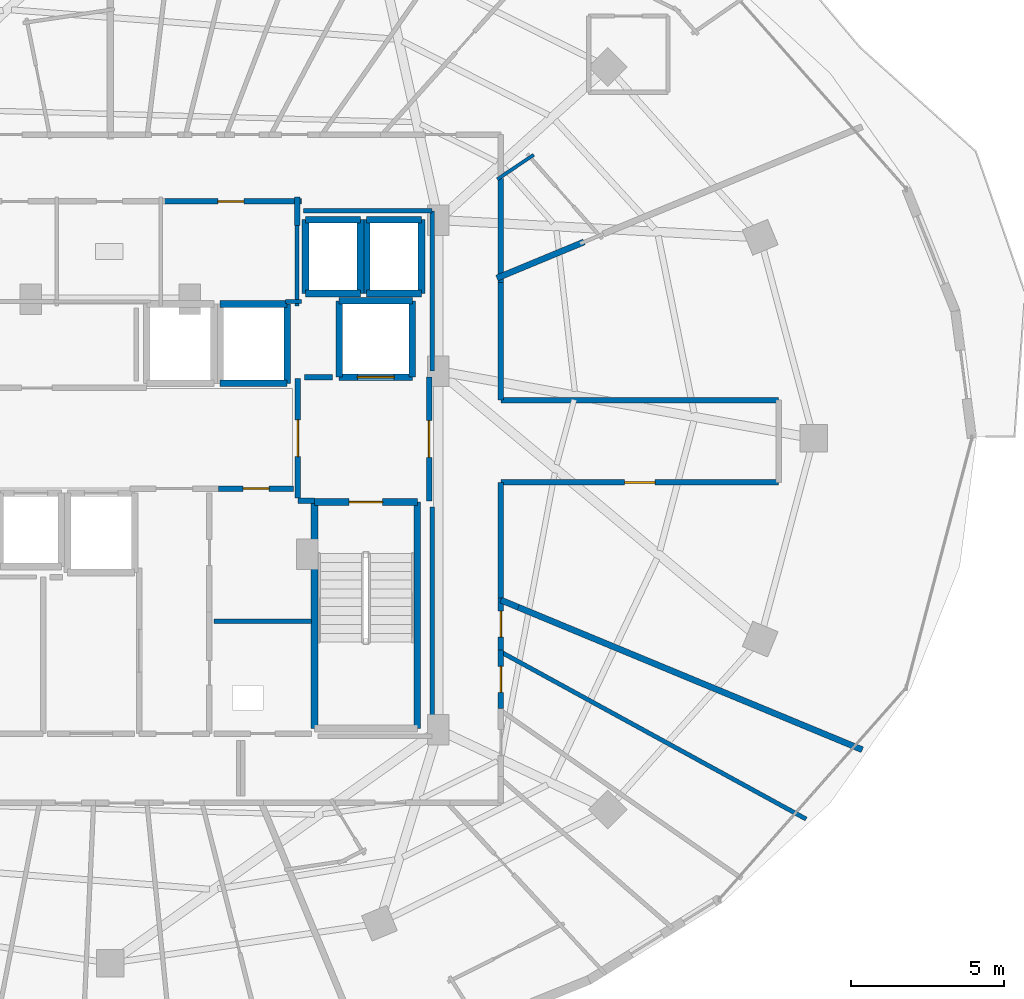
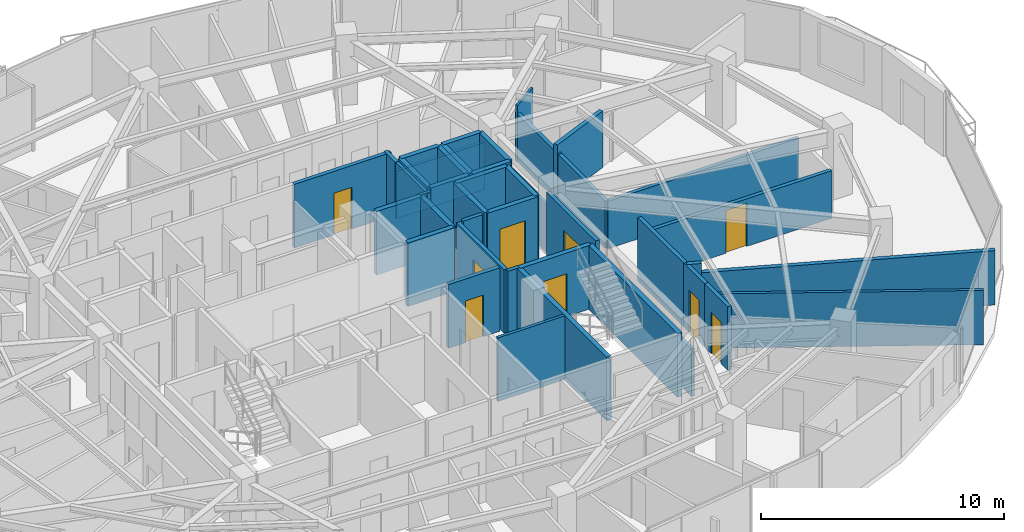
# One storey, part 28 of 33: 43 walls, 9 doors, 9 openings.
"""IFC4 building model written with IfcOpenShell, lengths in metres."""

from ifc_helpers import new_model, si_unit, direction, frame, frame_2d, origin, place, context, subcontext, project, spatial, rectangle, extrude, material, layer, layer_set, type_object, element, fill, save


model = new_model("IFC4")

# Units and contexts
model_context = context("Model", 3, precision=1e-05, world=origin(), true_north=direction((0.0, 1.0)))
body_context = subcontext(model_context, "Body", "Model", "MODEL_VIEW")
ifc_project = project(units=[si_unit("LENGTHUNIT", "METRE"), si_unit("AREAUNIT", "SQUARE_METRE"), si_unit("VOLUMEUNIT", "CUBIC_METRE"), si_unit("PLANEANGLEUNIT", "RADIAN"), si_unit("MASSUNIT", "GRAM", prefix="KILO")], contexts=[model_context])

# Site, building, storey
site_placement = place(None, origin())
site = spatial("IfcSite", under=ifc_project, at=site_placement, CompositionType="ELEMENT")
building_placement = place(site_placement, origin())
building = spatial("IfcBuilding", under=site, at=building_placement, Name="Vorneva Point Tower", CompositionType="ELEMENT")
storey_placement = place(building_placement, frame((0.0, 0.0, 221.39990234375)))
storey = spatial("IfcBuildingStorey", under=building, at=storey_placement, Name="L60", CompositionType="ELEMENT", Elevation=221.39990234375)

# Wall, opening, door
ifc_material_1 = material(Name="Concrete B60 (C50/60)", Category="concrete")
ifc_layer_1 = layer(ifc_material_1, 0.35009765625)
ifc_layer_set_1 = layer_set([ifc_layer_1], Name="Concrete B60 (C50/60)")
wall_type_1 = type_object("IfcWallType", Name="WL-CORE-350", PredefinedType="SHEAR", material=ifc_layer_set_1)
wall_1_placement = place(storey_placement, frame((45.5, 28.0, 0.0), z_axis=(0.0, 0.0, 1.0), x_axis=(1.0, 0.0, 0.0)))
wall_1 = element("IfcWall", 1, at=wall_1_placement, inside=storey, type_object=wall_type_1, Name="L60 Lift FFL2 Shaft Wall -Y", PredefinedType="SHEAR", context=body_context, shape_type="SweptSolid", body=[
    extrude(rectangle(XDim=2.39990234375, YDim=0.219970703125, at=frame_2d((1.199951171875, 0.0))), origin(), (0.0, 0.0, 1.0), 3.2001953125),
])
opening_1_placement = place(wall_1_placement, frame((0.60009765625, 0.0, 0.0)))
opening_1 = element("IfcOpeningElement", 2, at=opening_1_placement, cuts=wall_1, Name="Opening LD-02", PredefinedType="OPENING", context=body_context, shape_type="SweptSolid", body=[
    extrude(rectangle(XDim=1.199951171875, YDim=2.199951171875, at=frame_2d((0.60009765625, 1.10009765625))), frame((0.0, 0.125, 0.0), z_axis=(0.0, -1.0, 0.0), x_axis=(1.0, 0.0, 0.0)), (0.0, 0.0, 1.0), 0.249755859375),
])
ifc_material_2 = material(Name="Brushed stainless steel S304", Category="steel")
door_type_1 = type_object("IfcDoorType", Name="LD-FIRE-1200", OperationType="SLIDING_TO_LEFT", PredefinedType="DOOR", material=ifc_material_2)
door_1_placement = place(opening_1_placement, origin())
door_1 = element("IfcDoor", 3, at=door_1_placement, inside=storey, type_object=door_type_1, Name="L60 Lift FFL2 Sliding Landing Door", OperationType="SLIDING_TO_LEFT", OverallHeight=2.199951171875, OverallWidth=1.199951171875, PredefinedType="DOOR", context=body_context, shape_type="SweptSolid", body=[
    extrude(rectangle(XDim=1.199951171875, YDim=2.199951171875, at=frame_2d((0.60009765625, 1.10009765625))), frame((0.0, 0.02490234375, 0.0), z_axis=(0.0, -1.0, 0.0), x_axis=(1.0, 0.0, 0.0)), (0.0, 0.0, 1.0), 0.050048828125),
])
fill(opening_1, door_1)

# Walls
wall_2_placement = place(storey_placement, frame((47.89990234375, 28.0, 0.0), z_axis=(0.0, 0.0, 1.0), x_axis=(0.0, 1.0, 0.0)))
element("IfcWall", 4, at=wall_2_placement, inside=storey, type_object=wall_type_1, Name="L60 Lift FFL2 Shaft Wall +X", PredefinedType="SHEAR", context=body_context, shape_type="SweptSolid", body=[
    extrude(rectangle(XDim=2.5, YDim=0.219970703125, at=frame_2d((1.25, 0.0))), origin(), (0.0, 0.0, 1.0), 3.2001953125),
])
wall_3_placement = place(storey_placement, frame((47.89990234375, 30.5, 0.0), z_axis=(0.0, 0.0, 1.0), x_axis=(-1.0, 0.0, 0.0)))
element("IfcWall", 5, at=wall_3_placement, inside=storey, type_object=wall_type_1, Name="L60 Lift FFL2 Shaft Wall +Y", PredefinedType="SHEAR", context=body_context, shape_type="SweptSolid", body=[
    extrude(rectangle(XDim=2.39990234375, YDim=0.219970703125, at=frame_2d((1.199951171875, 0.0))), origin(), (0.0, 0.0, 1.0), 3.2001953125),
])
wall_4_placement = place(storey_placement, frame((45.5, 30.5, 0.0), z_axis=(0.0, 0.0, 1.0), x_axis=(0.0, -1.0, 0.0)))
element("IfcWall", 6, at=wall_4_placement, inside=storey, type_object=wall_type_1, Name="L60 Lift FFL2 Shaft Wall -X", PredefinedType="SHEAR", context=body_context, shape_type="SweptSolid", body=[
    extrude(rectangle(XDim=2.5, YDim=0.219970703125, at=frame_2d((1.25, 0.0))), origin(), (0.0, 0.0, 1.0), 3.2001953125),
])
ifc_material_3 = material(Name="Fire-rated acoustic gypsum stud partition", Category="gypsum")
ifc_layer_2 = layer(ifc_material_3, 0.110107421875)
ifc_layer_set_2 = layer_set([ifc_layer_2], Name="Fire-rated acoustic gypsum stud partition")
wall_type_2 = type_object("IfcWallType", Name="WL-PART-110", PredefinedType="PARTITIONING", material=ifc_layer_set_2)
wall_5_placement = place(storey_placement, frame((50.68359375, 34.486083984375, 0.0), z_axis=(0.0, 0.0, 1.0), x_axis=(0.830948636418, 0.556349138253, 0.0)))
element("IfcWall", 7, at=wall_5_placement, inside=storey, type_object=wall_type_2, Name="L60 Interior Partition 080", PredefinedType="PARTITIONING", context=body_context, shape_type="SweptSolid", body=[
    extrude(rectangle(XDim=1.43408203125, YDim=0.110107421875, at=frame_2d((0.717041015625, 0.0))), origin(), (0.0, 0.0, 1.0), 2.833984375),
])
ifc_layer_3 = layer(ifc_material_3, 0.139892578125)
ifc_layer_set_3 = layer_set([ifc_layer_3], Name="Fire-rated acoustic gypsum stud partition")
wall_type_3 = type_object("IfcWallType", Name="WL-PART-140", PredefinedType="PARTITIONING", material=ifc_layer_set_3)
wall_6_placement = place(storey_placement, frame((44.60009765625, 20.0, 0.0), z_axis=(0.0, 0.0, 1.0), x_axis=(-1.0, 0.0, 0.0)))
element("IfcWall", 8, at=wall_6_placement, inside=storey, type_object=wall_type_3, Name="L60 Interior Partition 017", PredefinedType="PARTITIONING", context=body_context, shape_type="SweptSolid", body=[
    extrude(rectangle(XDim=3.2001953125, YDim=0.139892578125, at=frame_2d((1.60009765625, 0.0))), origin(), (0.0, 0.0, 1.0), 3.2001953125),
])
wall_7_placement = place(storey_placement, frame((60.800048828125, 13.52392578125, 0.0), z_axis=(0.0, 0.0, 1.0), x_axis=(-0.877244884683, 0.480043135871, 0.0)))
element("IfcWall", 9, at=wall_7_placement, inside=storey, type_object=wall_type_3, Name="L60 Interior Partition 157", PredefinedType="PARTITIONING", context=body_context, shape_type="SweptSolid", body=[
    extrude(rectangle(XDim=11.3994140625, YDim=0.139892578125, at=frame_2d((5.69970703125, 0.0))), origin(), (0.0, 0.0, 1.0), 2.734130859375),
])
wall_8_placement = place(storey_placement, frame((43.735107421875, 30.47998046875, 0.0), z_axis=(0.0, 0.0, 1.0), x_axis=(1.0, 0.0, 0.0)))
element("IfcWall", 10, at=wall_8_placement, inside=storey, type_object=wall_type_3, Name="L60 Interior Closure Partition 163", PredefinedType="PARTITIONING", context=body_context, shape_type="SweptSolid", body=[
    extrude(rectangle(XDim=0.52490234375, YDim=0.139892578125, at=frame_2d((0.262451171875, 0.0))), origin(), (0.0, 0.0, 1.0), 3.2001953125),
])
wall_9_placement = place(storey_placement, frame((44.1201171875, 30.340087890625, 0.0), z_axis=(0.0, 0.0, 1.0), x_axis=(0.0, 1.0, 0.0)))
element("IfcWall", 11, at=wall_9_placement, inside=storey, type_object=wall_type_3, Name="L60 Interior Closure Partition 164", PredefinedType="PARTITIONING", context=body_context, shape_type="SweptSolid", body=[
    extrude(rectangle(XDim=2.659912109375, YDim=0.139892578125, at=frame_2d((1.330078125, 0.0))), origin(), (0.0, 0.0, 1.0), 3.2001953125),
])
wall_10_placement = place(storey_placement, frame((48.550048828125, 16.239990234375, 0.0), z_axis=(0.0, 0.0, 1.0), x_axis=(0.0, 1.0, 0.0)))
element("IfcWall", 12, at=wall_10_placement, inside=storey, type_object=wall_type_3, Name="L60 Interior Closure Partition 169", PredefinedType="PARTITIONING", context=body_context, shape_type="SweptSolid", body=[
    extrude(rectangle(XDim=7.513916015625, YDim=0.139892578125, at=frame_2d((3.7568359375, 0.0))), origin(), (0.0, 0.0, 1.0), 2.39208984375),
])
wall_11_placement = place(storey_placement, frame((48.550048828125, 28.196044921875, 0.0), z_axis=(0.0, 0.0, 1.0), x_axis=(0.0, 1.0, 0.0)))
element("IfcWall", 13, at=wall_11_placement, inside=storey, type_object=wall_type_3, Name="L60 Interior Closure Partition 170", PredefinedType="PARTITIONING", context=body_context, shape_type="SweptSolid", body=[
    extrude(rectangle(XDim=5.25390625, YDim=0.139892578125, at=frame_2d((2.626953125, 0.0))), origin(), (0.0, 0.0, 1.0), 2.39208984375),
])
wall_12_placement = place(storey_placement, frame((48.550048828125, 33.449951171875, 0.0), z_axis=(0.0, 0.0, 1.0), x_axis=(-1.0, 0.0, 0.0)))
element("IfcWall", 14, at=wall_12_placement, inside=storey, type_object=wall_type_3, Name="L60 Interior Closure Partition 171", PredefinedType="PARTITIONING", context=body_context, shape_type="SweptSolid", body=[
    extrude(rectangle(XDim=4.2099609375, YDim=0.139892578125, at=frame_2d((2.10498046875, 0.0))), origin(), (0.0, 0.0, 1.0), 2.39208984375),
])

# Wall, opening, door
ifc_material_4 = material(Name="Autoclaved aerated concrete blockwork", Category="masonry")
ifc_layer_4 = layer(ifc_material_4, 0.179931640625)
ifc_layer_set_4 = layer_set([ifc_layer_4], Name="Autoclaved aerated concrete blockwork")
wall_type_4 = type_object("IfcWallType", Name="WL-PART-180", PredefinedType="PARTITIONING", material=ifc_layer_set_4)
wall_13_placement = place(storey_placement, frame((44.14990234375, 27.955078125, 0.0), z_axis=(0.0, 0.0, 1.0), x_axis=(0.0, -1.0, 0.0)))
wall_13 = element("IfcWall", 15, at=wall_13_placement, inside=storey, type_object=wall_type_4, Name="L60 Interior Partition 003", PredefinedType="PARTITIONING", context=body_context, shape_type="SweptSolid", body=[
    extrude(rectangle(XDim=3.91015625, YDim=0.179931640625, at=frame_2d((1.955078125, 0.0))), origin(), (0.0, 0.0, 1.0), 3.2001953125),
])
opening_2_placement = place(wall_13_placement, frame((1.35498046875, 0.0, 0.0)))
opening_2 = element("IfcOpeningElement", 16, at=opening_2_placement, cuts=wall_13, Name="Opening FD-02", PredefinedType="OPENING", context=body_context, shape_type="SweptSolid", body=[
    extrude(rectangle(XDim=1.199951171875, YDim=2.14990234375, at=frame_2d((0.60009765625, 1.074951171875))), frame((0.0, 0.10498046875, 0.0), z_axis=(0.0, -1.0, 0.0), x_axis=(1.0, 0.0, 0.0)), (0.0, 0.0, 1.0), 0.209716796875),
])
ifc_material_5 = material(Name="Fire-rated powder-coated steel", Category="steel")
door_type_2 = type_object("IfcDoorType", Name="DR-FFL-1200", OperationType="NOTDEFINED", PredefinedType="DOOR", material=ifc_material_5)
door_2_placement = place(opening_2_placement, origin())
door_2 = element("IfcDoor", 17, at=door_2_placement, inside=storey, type_object=door_type_2, Name="L60 Door East Firefighting Lobby / Central Lift Lobby", OperationType="SINGLE_SWING_RIGHT", OverallHeight=2.14990234375, OverallWidth=1.199951171875, PredefinedType="DOOR", context=body_context, shape_type="SweptSolid", body=[
    extrude(rectangle(XDim=1.199951171875, YDim=2.14990234375, at=frame_2d((0.60009765625, 1.074951171875))), frame((0.0, 0.02490234375, 0.0), z_axis=(0.0, -1.0, 0.0), x_axis=(1.0, 0.0, 0.0)), (0.0, 0.0, 1.0), 0.050048828125),
])
fill(opening_2, door_2)

# Wall
wall_14_placement = place(storey_placement, frame((44.14990234375, 23.949951171875, 0.0), z_axis=(0.0, 0.0, 1.0), x_axis=(1.0, 0.0, 0.0)))
element("IfcWall", 18, at=wall_14_placement, inside=storey, type_object=wall_type_4, Name="L60 Interior Partition 004", PredefinedType="PARTITIONING", context=body_context, shape_type="SweptSolid", body=[
    extrude(rectangle(XDim=0.5400390625, YDim=0.179931640625, at=frame_2d((0.27001953125, 0.0))), origin(), (0.0, 0.0, 1.0), 3.2001953125),
])

# Wall, opening, door
wall_15_placement = place(storey_placement, frame((48.449951171875, 23.949951171875, 0.0), z_axis=(0.0, 0.0, 1.0), x_axis=(0.0, 1.0, 0.0)))
wall_15 = element("IfcWall", 19, at=wall_15_placement, inside=storey, type_object=wall_type_4, Name="L60 Interior Partition 005", PredefinedType="PARTITIONING", context=body_context, shape_type="SweptSolid", body=[
    extrude(rectangle(XDim=4.050048828125, YDim=0.179931640625, at=frame_2d((2.02490234375, 0.0))), origin(), (0.0, 0.0, 1.0), 3.2001953125),
])
opening_3_placement = place(wall_15_placement, frame((1.425048828125, 0.0, 0.0)))
opening_3 = element("IfcOpeningElement", 20, at=opening_3_placement, cuts=wall_15, Name="Opening FD-02", PredefinedType="OPENING", context=body_context, shape_type="SweptSolid", body=[
    extrude(rectangle(XDim=1.199951171875, YDim=2.14990234375, at=frame_2d((0.60009765625, 1.074951171875))), frame((0.0, 0.10498046875, 0.0), z_axis=(0.0, -1.0, 0.0), x_axis=(1.0, 0.0, 0.0)), (0.0, 0.0, 1.0), 0.209716796875),
])
door_3_placement = place(opening_3_placement, origin())
door_3 = element("IfcDoor", 21, at=door_3_placement, inside=storey, type_object=door_type_2, Name="L60 Door East Firefighting Lobby / L60 Circulation Corridor", OperationType="SINGLE_SWING_LEFT", OverallHeight=2.14990234375, OverallWidth=1.199951171875, PredefinedType="DOOR", context=body_context, shape_type="SweptSolid", body=[
    extrude(rectangle(XDim=1.199951171875, YDim=2.14990234375, at=frame_2d((0.60009765625, 1.074951171875))), frame((0.0, 0.02490234375, 0.0), z_axis=(0.0, -1.0, 0.0), x_axis=(1.0, 0.0, 0.0)), (0.0, 0.0, 1.0), 0.050048828125),
])
fill(opening_3, door_3)

wall_16_placement = place(storey_placement, frame((41.554931640625, 24.35009765625, 0.0), z_axis=(0.0, 0.0, 1.0), x_axis=(1.0, 0.0, 0.0)))
wall_16 = element("IfcWall", 22, at=wall_16_placement, inside=storey, type_object=wall_type_4, Name="L60 Interior Partition 011", PredefinedType="PARTITIONING", context=body_context, shape_type="SweptSolid", body=[
    extrude(rectangle(XDim=2.445068359375, YDim=0.179931640625, at=frame_2d((1.22265625, 0.0))), origin(), (0.0, 0.0, 1.0), 3.2001953125),
])
opening_4_placement = place(wall_16_placement, frame((0.797607421875, 0.0, 0.0)))
opening_4 = element("IfcOpeningElement", 23, at=opening_4_placement, cuts=wall_16, Name="Opening ID-02", PredefinedType="OPENING", context=body_context, shape_type="SweptSolid", body=[
    extrude(rectangle(XDim=0.85009765625, YDim=2.10009765625, at=frame_2d((0.425048828125, 1.050048828125))), frame((0.0, 0.10498046875, 0.0), z_axis=(0.0, -1.0, 0.0), x_axis=(1.0, 0.0, 0.0)), (0.0, 0.0, 1.0), 0.209716796875),
])
ifc_material_6 = material(Name="Engineered oak fire-rated door leaf", Category="wood")
door_type_3 = type_object("IfcDoorType", Name="DR-BATH-850", OperationType="NOTDEFINED", PredefinedType="DOOR", material=ifc_material_6)
door_4_placement = place(opening_4_placement, origin())
door_4 = element("IfcDoor", 24, at=door_4_placement, inside=storey, type_object=door_type_3, Name="L60 Door Central Lift Lobby / Valet and Parcel Room", OperationType="SINGLE_SWING_LEFT", OverallHeight=2.10009765625, OverallWidth=0.85009765625, PredefinedType="DOOR", context=body_context, shape_type="SweptSolid", body=[
    extrude(rectangle(XDim=0.85009765625, YDim=2.10009765625, at=frame_2d((0.425048828125, 1.050048828125))), frame((0.0, 0.02490234375, 0.0), z_axis=(0.0, -1.0, 0.0), x_axis=(1.0, 0.0, 0.0)), (0.0, 0.0, 1.0), 0.050048828125),
])
fill(opening_4, door_4)

wall_17_placement = place(storey_placement, frame((44.260009765625, 33.760009765625, 0.0), z_axis=(0.0, 0.0, 1.0), x_axis=(-1.0, 0.0, 0.0)))
wall_17 = element("IfcWall", 25, at=wall_17_placement, inside=storey, type_object=wall_type_4, Name="L60 Interior Partition 025", PredefinedType="PARTITIONING", context=body_context, shape_type="SweptSolid", body=[
    extrude(rectangle(XDim=4.610107421875, YDim=0.179931640625, at=frame_2d((2.30517578125, 0.0))), origin(), (0.0, 0.0, 1.0), 3.2001953125),
])
opening_5_placement = place(wall_17_placement, frame((1.8798828125, 0.0, 0.0)))
opening_5 = element("IfcOpeningElement", 26, at=opening_5_placement, cuts=wall_17, Name="Opening ID-02", PredefinedType="OPENING", context=body_context, shape_type="SweptSolid", body=[
    extrude(rectangle(XDim=0.85009765625, YDim=2.10009765625, at=frame_2d((0.425048828125, 1.050048828125))), frame((0.0, 0.10498046875, 0.0), z_axis=(0.0, -1.0, 0.0), x_axis=(1.0, 0.0, 0.0)), (0.0, 0.0, 1.0), 0.209716796875),
])
door_5_placement = place(opening_5_placement, origin())
door_5 = element("IfcDoor", 27, at=door_5_placement, inside=storey, type_object=door_type_3, Name="L60 Door Public WC / L60 Circulation Corridor", OperationType="SINGLE_SWING_RIGHT", OverallHeight=2.10009765625, OverallWidth=0.85009765625, PredefinedType="DOOR", context=body_context, shape_type="SweptSolid", body=[
    extrude(rectangle(XDim=0.85009765625, YDim=2.10009765625, at=frame_2d((0.425048828125, 1.050048828125))), frame((0.0, 0.02490234375, 0.0), z_axis=(0.0, -1.0, 0.0), x_axis=(1.0, 0.0, 0.0)), (0.0, 0.0, 1.0), 0.050048828125),
])
fill(opening_5, door_5)

# Walls
wall_18_placement = place(storey_placement, frame((44.1201171875, 32.969970703125, 0.0), z_axis=(0.0, 0.0, 1.0), x_axis=(0.0, 1.0, 0.0)))
element("IfcWall", 28, at=wall_18_placement, inside=storey, type_object=wall_type_4, Name="L60 Interior Partition 026", PredefinedType="PARTITIONING", context=body_context, shape_type="SweptSolid", body=[
    extrude(rectangle(XDim=0.929931640625, YDim=0.179931640625, at=frame_2d((0.46484375, 0.0))), origin(), (0.0, 0.0, 1.0), 3.2001953125),
])
wall_19_placement = place(storey_placement, frame((50.800048828125, 31.10205078125, 0.0), z_axis=(0.0, 0.0, 1.0), x_axis=(0.0, 1.0, 0.0)))
element("IfcWall", 29, at=wall_19_placement, inside=storey, type_object=wall_type_4, Name="L60 Interior Partition 032", PredefinedType="PARTITIONING", context=body_context, shape_type="SweptSolid", body=[
    extrude(rectangle(XDim=3.5419921875, YDim=0.179931640625, at=frame_2d((1.77099609375, 0.0))), origin(), (0.0, 0.0, 1.0), 2.39208984375),
])

# Wall, opening, door
wall_20_placement = place(storey_placement, frame((50.800048828125, 17.138916015625, 0.0), z_axis=(0.0, 0.0, 1.0), x_axis=(0.0, 1.0, 0.0)))
wall_20 = element("IfcWall", 30, at=wall_20_placement, inside=storey, type_object=wall_type_4, Name="L60 Interior Partition 073", PredefinedType="PARTITIONING", context=body_context, shape_type="SweptSolid", body=[
    extrude(rectangle(XDim=1.9169921875, YDim=0.179931640625, at=frame_2d((0.95849609375, 0.0))), origin(), (0.0, 0.0, 1.0), 3.2001953125),
])
opening_6_placement = place(wall_20_placement, frame((0.533447265625, 0.0, 0.0)))
opening_6 = element("IfcOpeningElement", 31, at=opening_6_placement, cuts=wall_20, Name="Opening ID-02", PredefinedType="OPENING", context=body_context, shape_type="SweptSolid", body=[
    extrude(rectangle(XDim=0.85009765625, YDim=2.10009765625, at=frame_2d((0.425048828125, 1.050048828125))), frame((0.0, 0.10498046875, 0.0), z_axis=(0.0, -1.0, 0.0), x_axis=(1.0, 0.0, 0.0)), (0.0, 0.0, 1.0), 0.209716796875),
])
door_6_placement = place(opening_6_placement, origin())
door_6 = element("IfcDoor", 32, at=door_6_placement, inside=storey, type_object=door_type_3, Name="L60 Access Door L60 Circulation Corridor", OperationType="SINGLE_SWING_LEFT", OverallHeight=2.10009765625, OverallWidth=0.85009765625, PredefinedType="DOOR", context=body_context, shape_type="SweptSolid", body=[
    extrude(rectangle(XDim=0.85009765625, YDim=2.10009765625, at=frame_2d((0.425048828125, 1.050048828125))), frame((0.0, 0.02490234375, 0.0), z_axis=(0.0, -1.0, 0.0), x_axis=(1.0, 0.0, 0.0)), (0.0, 0.0, 1.0), 0.050048828125),
])
fill(opening_6, door_6)

wall_21_placement = place(storey_placement, frame((50.800048828125, 19.055908203125, 0.0), z_axis=(0.0, 0.0, 1.0), x_axis=(0.0, 1.0, 0.0)))
wall_21 = element("IfcWall", 33, at=wall_21_placement, inside=storey, type_object=wall_type_4, Name="L60 Interior Partition 074", PredefinedType="PARTITIONING", context=body_context, shape_type="SweptSolid", body=[
    extrude(rectangle(XDim=1.7021484375, YDim=0.179931640625, at=frame_2d((0.85107421875, 0.0))), origin(), (0.0, 0.0, 1.0), 3.2001953125),
])
opening_7_placement = place(wall_21_placement, frame((0.426025390625, 0.0, 0.0)))
opening_7 = element("IfcOpeningElement", 34, at=opening_7_placement, cuts=wall_21, Name="Opening ID-02", PredefinedType="OPENING", context=body_context, shape_type="SweptSolid", body=[
    extrude(rectangle(XDim=0.85009765625, YDim=2.10009765625, at=frame_2d((0.425048828125, 1.050048828125))), frame((0.0, 0.10498046875, 0.0), z_axis=(0.0, -1.0, 0.0), x_axis=(1.0, 0.0, 0.0)), (0.0, 0.0, 1.0), 0.209716796875),
])
door_7_placement = place(opening_7_placement, origin())
door_7 = element("IfcDoor", 35, at=door_7_placement, inside=storey, type_object=door_type_3, Name="L60 Access Door L60 Circulation Corridor", OperationType="SINGLE_SWING_RIGHT", OverallHeight=2.10009765625, OverallWidth=0.85009765625, PredefinedType="DOOR", context=body_context, shape_type="SweptSolid", body=[
    extrude(rectangle(XDim=0.85009765625, YDim=2.10009765625, at=frame_2d((0.425048828125, 1.050048828125))), frame((0.0, 0.02490234375, 0.0), z_axis=(0.0, -1.0, 0.0), x_axis=(1.0, 0.0, 0.0)), (0.0, 0.0, 1.0), 0.050048828125),
])
fill(opening_7, door_7)

# Wall
wall_22_placement = place(storey_placement, frame((50.800048828125, 20.758056640625, 0.0), z_axis=(0.0, 0.0, 1.0), x_axis=(0.0, 1.0, 0.0)))
element("IfcWall", 36, at=wall_22_placement, inside=storey, type_object=wall_type_4, Name="L60 Interior Partition 075", PredefinedType="PARTITIONING", context=body_context, shape_type="SweptSolid", body=[
    extrude(rectangle(XDim=3.7919921875, YDim=0.179931640625, at=frame_2d((1.89599609375, 0.0))), origin(), (0.0, 0.0, 1.0), 3.2001953125),
])

# Wall, opening, door
wall_23_placement = place(storey_placement, frame((50.800048828125, 24.550048828125, 0.0), z_axis=(0.0, 0.0, 1.0), x_axis=(1.0, 0.0, 0.0)))
wall_23 = element("IfcWall", 37, at=wall_23_placement, inside=storey, type_object=wall_type_4, Name="L60 Interior Partition 076", PredefinedType="PARTITIONING", context=body_context, shape_type="SweptSolid", body=[
    extrude(rectangle(XDim=9.099853515625, YDim=0.179931640625, at=frame_2d((4.5498046875, 0.0))), origin(), (0.0, 0.0, 1.0), 2.39208984375),
])
opening_8_placement = place(wall_23_placement, frame((4.050048828125, 0.0, 0.0)))
opening_8 = element("IfcOpeningElement", 38, at=opening_8_placement, cuts=wall_23, Name="Opening UD-01", PredefinedType="OPENING", context=body_context, shape_type="SweptSolid", body=[
    extrude(rectangle(XDim=1.0, YDim=2.14990234375, at=frame_2d((0.5, 1.074951171875))), frame((0.0, 0.10498046875, 0.0), z_axis=(0.0, -1.0, 0.0), x_axis=(1.0, 0.0, 0.0)), (0.0, 0.0, 1.0), 0.209716796875),
])
door_type_4 = type_object("IfcDoorType", Name="DR-UNIT-1000", OperationType="NOTDEFINED", PredefinedType="DOOR", material=ifc_material_6)
door_8_placement = place(opening_8_placement, origin())
door_8 = element("IfcDoor", 39, at=door_8_placement, inside=storey, type_object=door_type_4, Name="L60 Door L60 Circulation Corridor / Residents Sky Lounge L60-06", OperationType="SINGLE_SWING_RIGHT", OverallHeight=2.14990234375, OverallWidth=1.0, PredefinedType="DOOR", context=body_context, shape_type="SweptSolid", body=[
    extrude(rectangle(XDim=1.0, YDim=2.14990234375, at=frame_2d((0.5, 1.074951171875))), frame((0.0, 0.02490234375, 0.0), z_axis=(0.0, -1.0, 0.0), x_axis=(1.0, 0.0, 0.0)), (0.0, 0.0, 1.0), 0.050048828125),
])
fill(opening_8, door_8)

# Walls
wall_24_placement = place(storey_placement, frame((59.89990234375, 27.25, 0.0), z_axis=(0.0, 0.0, 1.0), x_axis=(-1.0, 0.0, 0.0)))
element("IfcWall", 40, at=wall_24_placement, inside=storey, type_object=wall_type_4, Name="L60 Interior Partition 078", PredefinedType="PARTITIONING", context=body_context, shape_type="SweptSolid", body=[
    extrude(rectangle(XDim=9.099853515625, YDim=0.179931640625, at=frame_2d((4.5498046875, 0.0))), origin(), (0.0, 0.0, 1.0), 2.39208984375),
])
wall_25_placement = place(storey_placement, frame((50.800048828125, 27.25, 0.0), z_axis=(0.0, 0.0, 1.0), x_axis=(0.0, 1.0, 0.0)))
element("IfcWall", 41, at=wall_25_placement, inside=storey, type_object=wall_type_4, Name="L60 Interior Partition 079", PredefinedType="PARTITIONING", context=body_context, shape_type="SweptSolid", body=[
    extrude(rectangle(XDim=3.85205078125, YDim=0.179931640625, at=frame_2d((1.926025390625, 0.0))), origin(), (0.0, 0.0, 1.0), 2.39208984375),
])
wall_26_placement = place(storey_placement, frame((45.280029296875, 28.0, 0.0), z_axis=(0.0, 0.0, 1.0), x_axis=(-1.0, 0.0, 0.0)))
element("IfcWall", 42, at=wall_26_placement, inside=storey, type_object=wall_type_4, Name="L60 Interior Closure Partition 161", PredefinedType="PARTITIONING", context=body_context, shape_type="SweptSolid", body=[
    extrude(rectangle(XDim=0.9150390625, YDim=0.179931640625, at=frame_2d((0.45751953125, 0.0))), origin(), (0.0, 0.0, 1.0), 3.2001953125),
])
ifc_layer_5 = layer(ifc_material_4, 0.199951171875)
ifc_layer_set_5 = layer_set([ifc_layer_5], Name="Autoclaved aerated concrete blockwork")
wall_type_5 = type_object("IfcWallType", Name="WL-PART-200", PredefinedType="PARTITIONING", material=ifc_layer_set_5)
wall_27_placement = place(storey_placement, frame((50.670654296875, 31.248291015625, 0.0), z_axis=(0.0, 0.0, 1.0), x_axis=(0.923905073908, 0.382621764158, 0.0)))
element("IfcWall", 43, at=wall_27_placement, inside=storey, type_object=wall_type_5, Name="L60 Interior Partition 093", PredefinedType="PARTITIONING", context=body_context, shape_type="SweptSolid", body=[
    extrude(rectangle(XDim=3.08837890625, YDim=0.199951171875, at=frame_2d((1.544189453125, 0.0))), origin(), (0.0, 0.0, 1.0), 2.833984375),
])
wall_28_placement = place(storey_placement, frame((51.368896484375, 20.4619140625, 0.0), z_axis=(0.0, 0.0, 1.0), x_axis=(-0.923615496363, 0.383320251066, 0.0)))
element("IfcWall", 44, at=wall_28_placement, inside=storey, type_object=wall_type_5, Name="L60 Interior Partition 158", PredefinedType="PARTITIONING", context=body_context, shape_type="SweptSolid", body=[
    extrude(rectangle(XDim=0.615966796875, YDim=0.199951171875, at=frame_2d((0.30810546875, 0.0))), origin(), (0.0, 0.0, 1.0), 3.2001953125),
])
wall_29_placement = place(storey_placement, frame((62.639892578125, 15.7939453125, 0.0), z_axis=(0.0, 0.0, 1.0), x_axis=(-0.923897809723, 0.382639304291, 0.0)))
element("IfcWall", 45, at=wall_29_placement, inside=storey, type_object=wall_type_5, Name="L60 Interior Partition 159", PredefinedType="PARTITIONING", context=body_context, shape_type="SweptSolid", body=[
    extrude(rectangle(XDim=12.199462890625, YDim=0.199951171875, at=frame_2d((6.099609375, 0.0))), origin(), (0.0, 0.0, 1.0), 2.734130859375),
])

# Wall, opening, door
ifc_material_7 = material(Name="Concrete B50 (C40/50)", Category="concrete")
ifc_layer_6 = layer(ifc_material_7, 0.219970703125)
ifc_layer_set_6 = layer_set([ifc_layer_6], Name="Concrete B50 (C40/50)")
wall_type_6 = type_object("IfcWallType", Name="WL-SHFT-220", PredefinedType="SOLIDWALL", material=ifc_layer_set_6)
wall_30_placement = place(storey_placement, frame((44.68994140625, 23.909912109375, 0.0), z_axis=(0.0, 0.0, 1.0), x_axis=(1.0, 0.0, 0.0)))
wall_30 = element("IfcWall", 46, at=wall_30_placement, inside=storey, type_object=wall_type_6, Name="L60 Exit Stair ST2 Shaft Wall near", PredefinedType="SOLIDWALL", context=body_context, shape_type="SweptSolid", body=[
    extrude(rectangle(XDim=3.3701171875, YDim=0.219970703125, at=frame_2d((1.68505859375, 0.0))), origin(), (0.0, 0.0, 1.0), 3.2001953125),
])
opening_9_placement = place(wall_30_placement, frame((1.135009765625, 0.0, 0.0)))
opening_9 = element("IfcOpeningElement", 47, at=opening_9_placement, cuts=wall_30, Name="Opening FD-01", PredefinedType="OPENING", context=body_context, shape_type="SweptSolid", body=[
    extrude(rectangle(XDim=1.10009765625, YDim=2.14990234375, at=frame_2d((0.550048828125, 1.074951171875))), frame((0.0, 0.125, 0.0), z_axis=(0.0, -1.0, 0.0), x_axis=(1.0, 0.0, 0.0)), (0.0, 0.0, 1.0), 0.249755859375),
])
door_type_5 = type_object("IfcDoorType", Name="DR-STAIR-1100", OperationType="NOTDEFINED", PredefinedType="DOOR", material=ifc_material_5)
door_9_placement = place(opening_9_placement, origin())
door_9 = element("IfcDoor", 48, at=door_9_placement, inside=storey, type_object=door_type_5, Name="L60 Exit Stair ST2 Fire Door", OperationType="SINGLE_SWING_LEFT", OverallHeight=2.14990234375, OverallWidth=1.10009765625, PredefinedType="DOOR", context=body_context, shape_type="SweptSolid", body=[
    extrude(rectangle(XDim=1.10009765625, YDim=2.14990234375, at=frame_2d((0.550048828125, 1.074951171875))), frame((0.0, 0.02490234375, 0.0), z_axis=(0.0, -1.0, 0.0), x_axis=(1.0, 0.0, 0.0)), (0.0, 0.0, 1.0), 0.050048828125),
])
fill(opening_9, door_9)

# Walls
for number, where, z_axis, x_axis, name in (
    (49, (48.06005859375, 23.909912109375, 0.0), (0.0, 0.0, 1.0), (0.0, -1.0, 0.0), "L60 Exit Stair ST2 Shaft Wall right"),
    (50, (44.68994140625, 16.489990234375, 0.0), (0.0, 0.0, 1.0), (0.0, 1.0, 0.0), "L60 Exit Stair ST2 Shaft Wall left"),
):
    element("IfcWall", number, at=place(storey_placement, frame(where, z_axis=z_axis, x_axis=x_axis)), inside=storey, type_object=wall_type_6, Name=name, PredefinedType="SOLIDWALL", context=body_context, shape_type="SweptSolid", body=[
        extrude(rectangle(XDim=7.419921875, YDim=0.219970703125, at=frame_2d((3.7099609375, 0.0))), origin(), (0.0, 0.0, 1.0), 3.2001953125),
    ])
wall_31_placement = place(storey_placement, frame((41.60009765625, 27.800048828125, 0.0), z_axis=(0.0, 0.0, 1.0), x_axis=(1.0, 0.0, 0.0)))
element("IfcWall", 51, at=wall_31_placement, inside=storey, type_object=wall_type_6, Name="L60 Lift PL8 Shaft Wall -Y", PredefinedType="SOLIDWALL", context=body_context, shape_type="SweptSolid", body=[
    extrude(rectangle(XDim=2.199951171875, YDim=0.219970703125, at=frame_2d((1.10009765625, 0.0))), origin(), (0.0, 0.0, 1.0), 3.2001953125),
])
wall_32_placement = place(storey_placement, frame((43.800048828125, 27.800048828125, 0.0), z_axis=(0.0, 0.0, 1.0), x_axis=(0.0, 1.0, 0.0)))
element("IfcWall", 52, at=wall_32_placement, inside=storey, type_object=wall_type_6, Name="L60 Lift PL8 Shaft Wall +X", PredefinedType="SOLIDWALL", context=body_context, shape_type="SweptSolid", body=[
    extrude(rectangle(XDim=2.599853515625, YDim=0.219970703125, at=frame_2d((1.2998046875, 0.0))), origin(), (0.0, 0.0, 1.0), 3.2001953125),
])
wall_33_placement = place(storey_placement, frame((43.800048828125, 30.39990234375, 0.0), z_axis=(0.0, 0.0, 1.0), x_axis=(-1.0, 0.0, 0.0)))
element("IfcWall", 53, at=wall_33_placement, inside=storey, type_object=wall_type_6, Name="L60 Lift PL8 Shaft Wall +Y", PredefinedType="SOLIDWALL", context=body_context, shape_type="SweptSolid", body=[
    extrude(rectangle(XDim=2.199951171875, YDim=0.219970703125, at=frame_2d((1.10009765625, 0.0))), origin(), (0.0, 0.0, 1.0), 3.2001953125),
])
wall_34_placement = place(storey_placement, frame((44.39990234375, 30.739990234375, 0.0), z_axis=(0.0, 0.0, 1.0), x_axis=(1.0, 0.0, 0.0)))
element("IfcWall", 54, at=wall_34_placement, inside=storey, type_object=wall_type_6, Name="L60 Lift EX1 Shaft Wall -Y", PredefinedType="SOLIDWALL", context=body_context, shape_type="SweptSolid", body=[
    extrude(rectangle(XDim=1.800048828125, YDim=0.219970703125, at=frame_2d((0.89990234375, 0.0))), origin(), (0.0, 0.0, 1.0), 3.2001953125),
])
wall_35_placement = place(storey_placement, frame((46.199951171875, 30.739990234375, 0.0), z_axis=(0.0, 0.0, 1.0), x_axis=(0.0, 1.0, 0.0)))
element("IfcWall", 55, at=wall_35_placement, inside=storey, type_object=wall_type_6, Name="L60 Lift EX1 Shaft Wall +X", PredefinedType="SOLIDWALL", context=body_context, shape_type="SweptSolid", body=[
    extrude(rectangle(XDim=2.419921875, YDim=0.219970703125, at=frame_2d((1.2099609375, 0.0))), origin(), (0.0, 0.0, 1.0), 3.2001953125),
])
wall_36_placement = place(storey_placement, frame((46.199951171875, 33.159912109375, 0.0), z_axis=(0.0, 0.0, 1.0), x_axis=(-1.0, 0.0, 0.0)))
element("IfcWall", 56, at=wall_36_placement, inside=storey, type_object=wall_type_6, Name="L60 Lift EX1 Shaft Wall +Y", PredefinedType="SOLIDWALL", context=body_context, shape_type="SweptSolid", body=[
    extrude(rectangle(XDim=1.800048828125, YDim=0.219970703125, at=frame_2d((0.89990234375, 0.0))), origin(), (0.0, 0.0, 1.0), 3.2001953125),
])
wall_37_placement = place(storey_placement, frame((44.39990234375, 33.159912109375, 0.0), z_axis=(0.0, 0.0, 1.0), x_axis=(0.0, -1.0, 0.0)))
element("IfcWall", 57, at=wall_37_placement, inside=storey, type_object=wall_type_6, Name="L60 Lift EX1 Shaft Wall -X", PredefinedType="SOLIDWALL", context=body_context, shape_type="SweptSolid", body=[
    extrude(rectangle(XDim=2.419921875, YDim=0.219970703125, at=frame_2d((1.2099609375, 0.0))), origin(), (0.0, 0.0, 1.0), 3.2001953125),
])
wall_38_placement = place(storey_placement, frame((46.39990234375, 30.739990234375, 0.0), z_axis=(0.0, 0.0, 1.0), x_axis=(1.0, 0.0, 0.0)))
element("IfcWall", 58, at=wall_38_placement, inside=storey, type_object=wall_type_6, Name="L60 Lift EX2 Shaft Wall -Y", PredefinedType="SOLIDWALL", context=body_context, shape_type="SweptSolid", body=[
    extrude(rectangle(XDim=1.800048828125, YDim=0.219970703125, at=frame_2d((0.89990234375, 0.0))), origin(), (0.0, 0.0, 1.0), 3.2001953125),
])
wall_39_placement = place(storey_placement, frame((48.199951171875, 30.739990234375, 0.0), z_axis=(0.0, 0.0, 1.0), x_axis=(0.0, 1.0, 0.0)))
element("IfcWall", 59, at=wall_39_placement, inside=storey, type_object=wall_type_6, Name="L60 Lift EX2 Shaft Wall +X", PredefinedType="SOLIDWALL", context=body_context, shape_type="SweptSolid", body=[
    extrude(rectangle(XDim=2.419921875, YDim=0.219970703125, at=frame_2d((1.2099609375, 0.0))), origin(), (0.0, 0.0, 1.0), 3.2001953125),
])
wall_40_placement = place(storey_placement, frame((48.199951171875, 33.159912109375, 0.0), z_axis=(0.0, 0.0, 1.0), x_axis=(-1.0, 0.0, 0.0)))
element("IfcWall", 60, at=wall_40_placement, inside=storey, type_object=wall_type_6, Name="L60 Lift EX2 Shaft Wall +Y", PredefinedType="SOLIDWALL", context=body_context, shape_type="SweptSolid", body=[
    extrude(rectangle(XDim=1.800048828125, YDim=0.219970703125, at=frame_2d((0.89990234375, 0.0))), origin(), (0.0, 0.0, 1.0), 3.2001953125),
])
wall_41_placement = place(storey_placement, frame((46.39990234375, 33.159912109375, 0.0), z_axis=(0.0, 0.0, 1.0), x_axis=(0.0, -1.0, 0.0)))
element("IfcWall", 61, at=wall_41_placement, inside=storey, type_object=wall_type_6, Name="L60 Lift EX2 Shaft Wall -X", PredefinedType="SOLIDWALL", context=body_context, shape_type="SweptSolid", body=[
    extrude(rectangle(XDim=2.419921875, YDim=0.219970703125, at=frame_2d((1.2099609375, 0.0))), origin(), (0.0, 0.0, 1.0), 3.2001953125),
])

save(model, "model.ifc")
